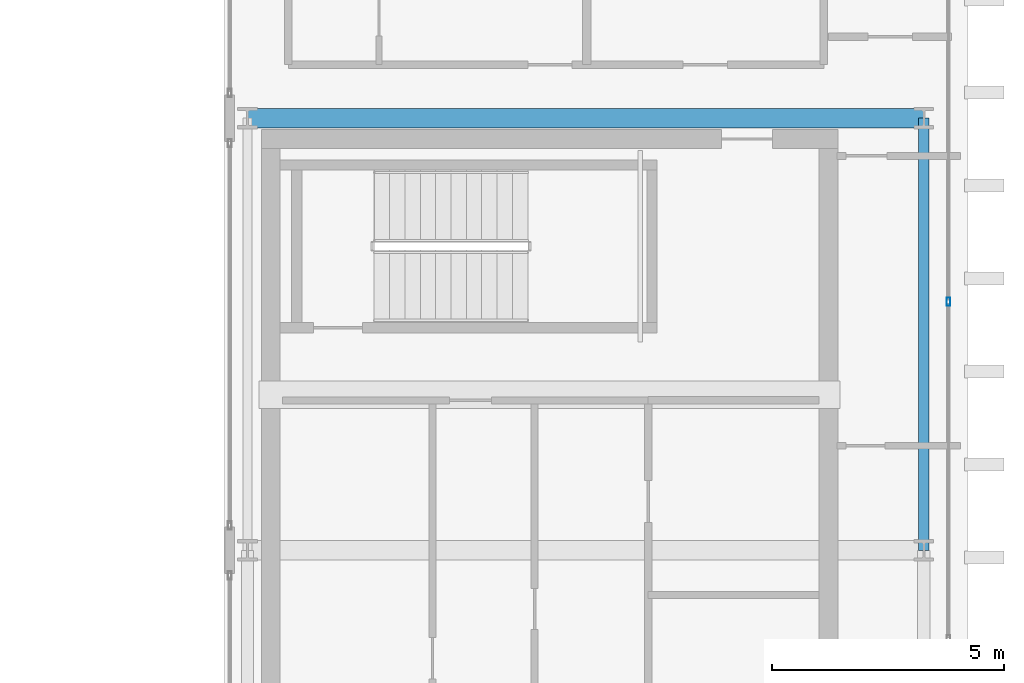
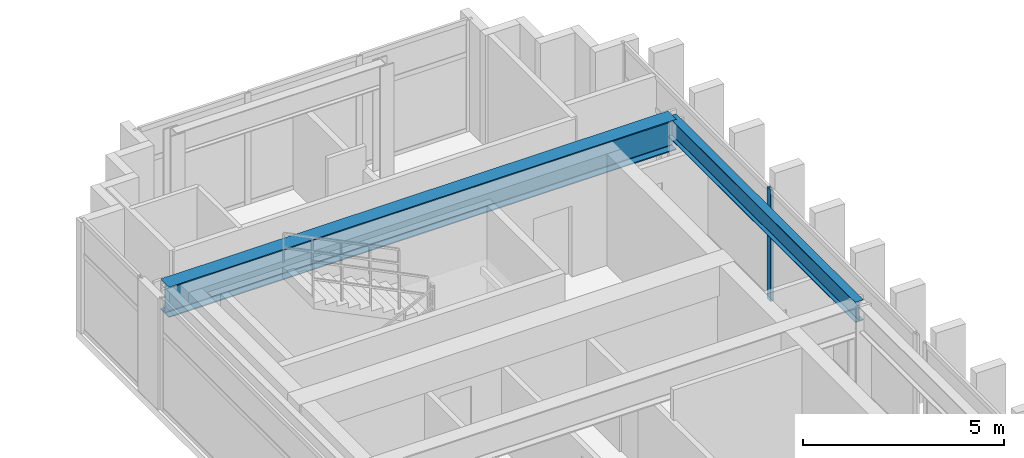
# One storey, part 14 of 25: 2 beams, 1 member, 1 element without a shape of its own.
"""IFC4 building model written with IfcOpenShell, lengths in metres."""

from ifc_helpers import new_model, si_unit, direction, frame, origin, origin_2d, place, context, subcontext, project, spatial, hollow_rectangle, i_section, extrude, source, transform, mapped, material, layer, layer_set, material_profile, profile_set, type_object, element, aggregate, save


model = new_model("IFC4")

# Units and contexts
model_context = context("Model", 3, precision=1e-05, world=origin(), true_north=direction((0.0, 1.0)))
body_context = subcontext(model_context, "Body", "Model", "MODEL_VIEW")
ifc_project = project(units=[si_unit("LENGTHUNIT", "METRE"), si_unit("AREAUNIT", "SQUARE_METRE"), si_unit("VOLUMEUNIT", "CUBIC_METRE"), si_unit("PLANEANGLEUNIT", "RADIAN"), si_unit("MASSUNIT", "GRAM", prefix="KILO")], contexts=[model_context])

# Site, building, storey
site_placement = place(None, origin())
site = spatial("IfcSite", under=ifc_project, at=site_placement, CompositionType="ELEMENT")
building_placement = place(site_placement, origin())
building = spatial("IfcBuilding", under=site, at=building_placement, Name="Ocotamira Hotel", CompositionType="ELEMENT")
storey_placement = place(building_placement, frame((0.0, 0.0, 261.60009765625)))
storey = spatial("IfcBuildingStorey", under=building, at=storey_placement, Name="L66", CompositionType="ELEMENT", Elevation=261.60009765625)

# Beams
ifc_material_1 = material(Name="Steel ASTM A992 Grade 50", Category="steel")
ifc_material_profile_1 = material_profile(ifc_material_1, i_section(OverallWidth=0.41796875, OverallDepth=0.927001953125, WebThickness=0.019287109375, FlangeThickness=0.031982421875, FilletRadius=0.02392578125, at=origin_2d()), Name="W36X231")
ifc_profile_set_1 = profile_set([ifc_material_profile_1], Name="Steel ASTM A992 Grade 50")
beam_type_1 = type_object("IfcBeamType", Name="BM-GIRD-W36X231", PredefinedType="BEAM", material=ifc_profile_set_1)
shared_shape_1 = source(origin(), body_context, "Body", "SweptSolid", [
    extrude(i_section(OverallWidth=0.41796875, OverallDepth=0.927001953125, WebThickness=0.019287109375, FlangeThickness=0.031982421875, FilletRadius=0.02392578125, at=origin_2d()), origin(), (0.0, 0.0, 1.0), 14.550048828125),
])
beam_1_placement = place(storey_placement, frame((40.5, 37.449951171875, 2.91650390625), z_axis=(1.0, 0.0, 0.0), x_axis=(0.0, 1.0, 0.0)))
element("IfcBeam", 1, at=beam_1_placement, inside=storey, type_object=beam_type_1, Name="L66 Girder Y37.45 X40.5-55.05", PredefinedType="BEAM", context=body_context, shape_type="MappedRepresentation", body=[
    mapped(shared_shape_1, transform((0.0, 0.0, 0.0), scale=1.0)),
])
ifc_material_profile_2 = material_profile(ifc_material_1, i_section(OverallWidth=0.22998046875, OverallDepth=0.616943359375, WebThickness=0.01318359375, FlangeThickness=0.022216796875, FilletRadius=0.012939453125, at=origin_2d()), Name="W24X94")
ifc_profile_set_2 = profile_set([ifc_material_profile_2], Name="Steel ASTM A992 Grade 50")
beam_type_2 = type_object("IfcBeamType", Name="BM-PRIM-W24X94", PredefinedType="BEAM", material=ifc_profile_set_2)
shared_shape_2 = source(origin(), body_context, "Body", "SweptSolid", [
    extrude(i_section(OverallWidth=0.22998046875, OverallDepth=0.616943359375, WebThickness=0.01318359375, FlangeThickness=0.022216796875, FilletRadius=0.012939453125, at=origin_2d()), origin(), (0.0, 0.0, 1.0), 9.300048828125),
])
beam_2_placement = place(storey_placement, frame((55.050048828125, 28.14990234375, 3.0712890625), z_axis=(0.0, 1.0, 0.0), x_axis=(-1.0, 0.0, 0.0)))
element("IfcBeam", 2, at=beam_2_placement, inside=storey, type_object=beam_type_2, Name="L66 Beam X55.05 Y28.15-37.45", PredefinedType="BEAM", context=body_context, shape_type="MappedRepresentation", body=[
    mapped(shared_shape_2, transform((0.0, 0.0, 0.0), scale=1.0)),
])

# Curtain wall, member
ifc_material_2 = material(Name="Anodised pale-metal aluminium and solar glass", Category="aluminium")
ifc_layer = layer(ifc_material_2, 0.2099609375)
ifc_layer_set = layer_set([ifc_layer], Name="Anodised pale-metal aluminium and solar glass")
curtain_wall_type = type_object("IfcCurtainWallType", Name="CW-SYS7-PEAK", PredefinedType="NOTDEFINED", material=ifc_layer_set)
curtain_wall_placement = place(storey_placement, origin())
curtain_wall = element("IfcCurtainWall", 3, at=curtain_wall_placement, inside=storey, type_object=curtain_wall_type, Name="L66 Curtain Wall CW-7 CW-L66-EO2", PredefinedType="NOTDEFINED")
ifc_material_3 = material(Name="Anodised pale-metal aluminium 6063-T6", Category="aluminium")
ifc_material_profile_3 = material_profile(ifc_material_3, hollow_rectangle(XDim=0.080078125, YDim=0.179931640625, WallThickness=0.006103515625, at=origin_2d()), Name="HSS180X80X6")
ifc_profile_set_3 = profile_set([ifc_material_profile_3], Name="Anodised pale-metal aluminium 6063-T6")
member_type = type_object("IfcMemberType", Name="CWM-180X75", PredefinedType="MULLION", material=ifc_profile_set_3)
shared_shape_3 = source(origin(), body_context, "Body", "SweptSolid", [
    extrude(hollow_rectangle(XDim=0.080078125, YDim=0.179931640625, WallThickness=0.006103515625, at=origin_2d()), origin(), (0.0, 0.0, 1.0), 3.3798828125),
])
member_placement = place(storey_placement, frame((55.580078125, 33.5, 0.0), z_axis=(0.0, 0.0, 1.0), x_axis=(-1.0, 0.0, 0.0)))
member = element("IfcMember", 4, at=member_placement, type_object=member_type, Name="CW-7 mullion 2", PredefinedType="MULLION", context=body_context, shape_type="MappedRepresentation", body=[
    mapped(shared_shape_3, transform((0.0, 0.0, 0.0), scale=1.0)),
])
aggregate(curtain_wall, [member])

save(model, "model.ifc")
